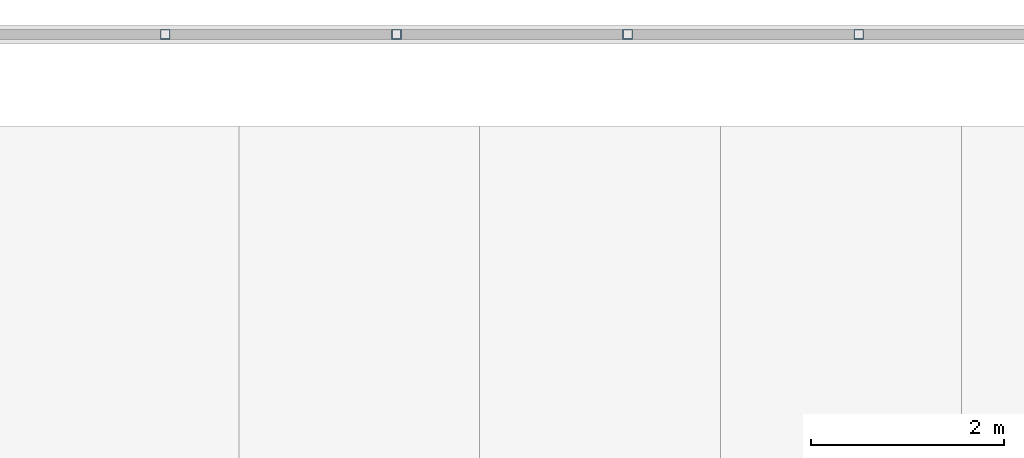
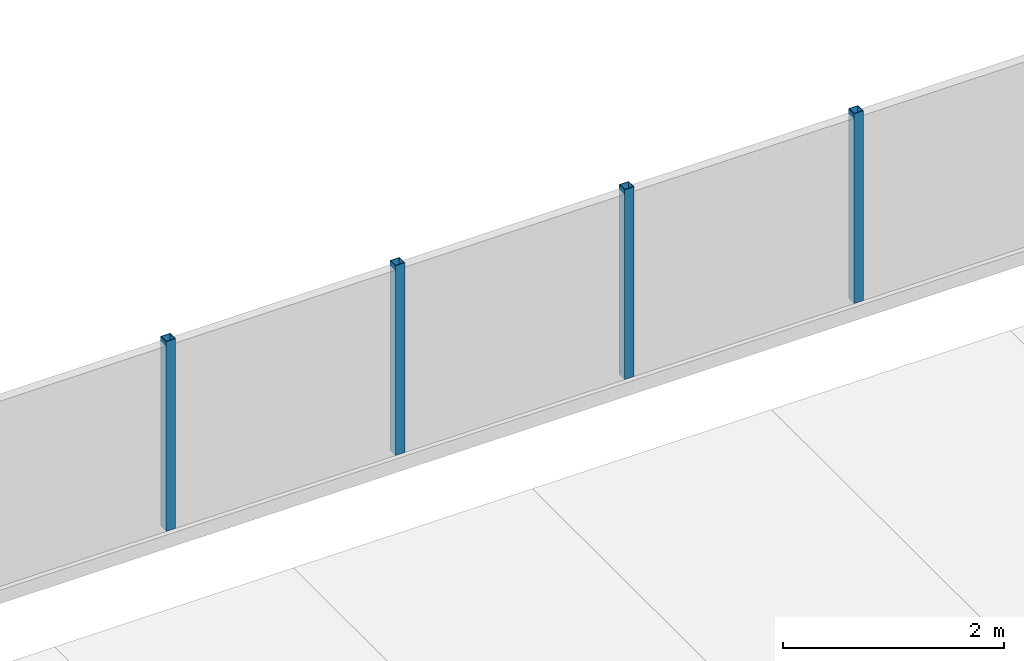
# One storey, part 21 of 129: 4 members.
"""IFC4 building model written with IfcOpenShell, lengths in metres."""

import ifcopenshell
import ifcopenshell.guid

model = None  # the IFC model being written
_history = None  # IfcOwnerHistory: only IFC2X3 demands one
_inside = {}  # id of a spatial element -> (the spatial element, [elements in it])
_under = {}  # id of a project, library or spatial element -> (it, [spatial elements below it])
_declared = {}  # id of a project -> (the project, [libraries it declares])
_typed = {}  # id of a type object -> (the type object, [elements of that type])
_made_of = {}  # id of a material, layer set ... -> (it, [elements and type objects made of it])


def new_model(schema):
    """Start an empty IFC model of exactly this schema.

    Asked for "IFC4X3", IfcOpenShell would pick the latest addendum, in which some entities
    have other attributes; the version numbers below select the first issue.
    IFC2X3 requires an IfcOwnerHistory on every rooted entity: one is made here for all.
    """
    global model, _history
    if schema == "IFC4X3":
        model = ifcopenshell.file(schema_version=(4, 3, 0, 0))
    else:
        model = ifcopenshell.file(schema=schema)
    _inside.clear()
    _under.clear()
    _declared.clear()
    _typed.clear()
    _made_of.clear()
    _history = None
    if model.schema == "IFC2X3":
        org = make("IfcOrganization", Name="unknown")
        user = make(
            "IfcPersonAndOrganization",
            ThePerson=make("IfcPerson", FamilyName="unknown"),
            TheOrganization=org,
        )
        app = make(
            "IfcApplication",
            ApplicationDeveloper=org,
            Version="unknown",
            ApplicationFullName="unknown",
            ApplicationIdentifier="unknown",
        )
        _history = make(
            "IfcOwnerHistory",
            OwningUser=user,
            OwningApplication=app,
            ChangeAction="ADDED",
            CreationDate=0,
        )
    return model


def make(cls, **values):
    """One entity of the class cls with the attributes given. An attribute that is None is left unset."""
    return model.create_entity(
        cls, **{name: value for name, value in values.items() if value is not None}
    )


def rooted(cls, **values):
    """An entity with a GlobalId (a new one), such as an element, a storey or a relation."""
    return make(cls, GlobalId=ifcopenshell.guid.new(), OwnerHistory=_history, **values)


def si_unit(unit_type, name, prefix=None):
    """IfcSIUnit, for example si_unit("LENGTHUNIT", "METRE", prefix="MILLI")."""
    return make("IfcSIUnit", UnitType=unit_type, Prefix=prefix, Name=name)


def assignment(units):
    """IfcUnitAssignment: the units of a project."""
    return None if units is None else make("IfcUnitAssignment", Units=units)


def point(xyz):
    """IfcCartesianPoint."""
    return None if xyz is None else make("IfcCartesianPoint", Coordinates=xyz)


def direction(xyz):
    """IfcDirection."""
    return None if xyz is None else make("IfcDirection", DirectionRatios=xyz)


def frame(location, z_axis=None, x_axis=None):
    """IfcAxis2Placement3D, a coordinate frame: its origin and axes. An axis left out is left unset."""
    return make(
        "IfcAxis2Placement3D",
        Location=point(location),
        Axis=direction(z_axis),
        RefDirection=direction(x_axis),
    )


def frame_2d(location, x_axis=None):
    """IfcAxis2Placement2D, a coordinate frame in the plane: its origin and x axis."""
    return make(
        "IfcAxis2Placement2D", Location=point(location), RefDirection=direction(x_axis)
    )


def origin():
    """The frame at (0, 0, 0) with its axes left unset."""
    return frame((0.0, 0.0, 0.0))


def origin_2d():
    """The frame at (0, 0) in the plane with its x axis left unset."""
    return frame_2d((0.0, 0.0))


def place(relative_to, where):
    """IfcLocalPlacement: puts the frame where relative to a parent placement (None: the world)."""
    return make(
        "IfcLocalPlacement", PlacementRelTo=relative_to, RelativePlacement=where
    )


def context(
    kind, dimensions, precision=None, world=None, true_north=None, identifier=None
):
    """IfcGeometricRepresentationContext, for example the 3D "Model" context."""
    return make(
        "IfcGeometricRepresentationContext",
        ContextIdentifier=identifier,
        ContextType=kind,
        CoordinateSpaceDimension=dimensions,
        Precision=precision,
        WorldCoordinateSystem=world,
        TrueNorth=true_north,
    )


def subcontext(parent, identifier, kind, view, scale=None):
    """IfcGeometricRepresentationSubContext, for example "Body" below "Model"."""
    return make(
        "IfcGeometricRepresentationSubContext",
        ContextIdentifier=identifier,
        ContextType=kind,
        ParentContext=parent,
        TargetScale=scale,
        TargetView=view,
    )


def project(units=None, contexts=None):
    """IfcProject with its units and contexts."""
    return rooted(
        "IfcProject",
        Name="project",
        RepresentationContexts=contexts,
        UnitsInContext=assignment(units),
    )


def spatial(cls, under=None, at=None, **own):
    """A site, building, storey or space (cls), placed at a placement, below another one or the project."""
    s = rooted(cls, ObjectPlacement=at, **own)
    if under is not None:
        _under.setdefault(under.id(), (under, []))[1].append(s)
    return s


def profile(cls, at=None, kind="AREA", **sizes):
    """A parametric profile (cls). Its sizes go by their IFC names, for example OverallWidth=200.0."""
    return make(cls, ProfileType=kind, Position=at, **sizes)


def hollow_rectangle(**sizes):
    """IfcRectangleHollowProfileDef."""
    return profile("IfcRectangleHollowProfileDef", **sizes)


def extrude(swept, where, along, depth):
    """IfcExtrudedAreaSolid: the profile swept, set in the frame where, extruded along a direction by depth."""
    return make(
        "IfcExtrudedAreaSolid",
        SweptArea=swept,
        Position=where,
        ExtrudedDirection=direction(along),
        Depth=depth,
    )


def shape(context_of_items, identifier, shape_type, items):
    """IfcShapeRepresentation: the items that make up one representation, for example the "Body"."""
    return make(
        "IfcShapeRepresentation",
        ContextOfItems=context_of_items,
        RepresentationIdentifier=identifier,
        RepresentationType=shape_type,
        Items=items,
    )


def material(Name=None, Category=None):
    """IfcMaterial."""
    return make("IfcMaterial", Name=Name, Category=Category)


def material_profile(
    of_material, cross_section, Name=None, Category=None, Priority=None
):
    """IfcMaterialProfile: a cross section and its material."""
    return make(
        "IfcMaterialProfile",
        Name=Name,
        Material=of_material,
        Profile=cross_section,
        Priority=Priority,
        Category=Category,
    )


def profile_set(profiles, Name=None, composite=None):
    """IfcMaterialProfileSet."""
    return make(
        "IfcMaterialProfileSet",
        Name=Name,
        MaterialProfiles=profiles,
        CompositeProfile=composite,
    )


def made_of(thing, what):
    """Note that an element or type object is made of a material, layer set ...; save() writes the relation."""
    if what is not None:
        _made_of.setdefault(what.id(), (what, []))[1].append(thing)
    return thing


def type_object(cls, material=None, **own):
    """A type object (cls), such as IfcWallType, which elements share."""
    return made_of(rooted(cls, **own), material)


def element(
    cls,
    number,
    at=None,
    inside=None,
    cuts=None,
    type_object=None,
    material=None,
    context=None,
    identifier="Body",
    shape_type=None,
    held_by="IfcProductDefinitionShape",
    body=None,
    shapes=None,
    **own,
):
    """One element of the class cls, such as IfcWall. Its Tag is "e" and its number.

    at: its placement. inside: the storey or other place that contains it. cuts: it is an
    opening in that element (IfcRelVoidsElement). A single representation is given by context,
    identifier, shape_type and body (its items); several are given by shapes. held_by: the class
    of the entity that holds the representations. save() writes the other relations.
    """
    e = rooted(cls, Tag="e%d" % number, ObjectPlacement=at, **own)
    if body is not None:
        shapes = [shape(context, identifier, shape_type, body)]
    if shapes is not None:
        e.Representation = make(held_by, Representations=shapes)
    if inside is not None:
        _inside.setdefault(inside.id(), (inside, []))[1].append(e)
    if cuts is not None:
        rooted(
            "IfcRelVoidsElement", RelatingBuildingElement=cuts, RelatedOpeningElement=e
        )
    if type_object is not None:
        _typed.setdefault(type_object.id(), (type_object, []))[1].append(e)
    return made_of(e, material)


def aggregate(whole, parts):
    """IfcRelAggregates: a whole, such as a stair, and the parts it consists of."""
    return rooted("IfcRelAggregates", RelatingObject=whole, RelatedObjects=parts)


def save(model, path):
    """Write the relations noted so far, then the file.

    IfcRelAggregates (storeys below a building ...), IfcRelContainedInSpatialStructure (elements
    in a storey), IfcRelDefinesByType, IfcRelAssociatesMaterial and IfcRelDeclares: one each for
    every whole, place, type object, material and project.
    """
    for whole, parts in _under.values():
        aggregate(whole, parts)
    for where, things in _inside.values():
        rooted(
            "IfcRelContainedInSpatialStructure",
            RelatedElements=things,
            RelatingStructure=where,
        )
    for kind, things in _typed.values():
        rooted("IfcRelDefinesByType", RelatedObjects=things, RelatingType=kind)
    for what, things in _made_of.values():
        rooted("IfcRelAssociatesMaterial", RelatedObjects=things, RelatingMaterial=what)
    for by, libraries in _declared.values():
        rooted("IfcRelDeclares", RelatingContext=by, RelatedDefinitions=libraries)
    model.write(path)


model = new_model("IFC4")

# Units and contexts
model_context = context("Model", 3, precision=1e-05, world=origin(), true_north=direction((0.0, 1.0)))
body_context = subcontext(model_context, "Body", "Model", "MODEL_VIEW")
ifc_project = project(units=[si_unit("LENGTHUNIT", "METRE"), si_unit("AREAUNIT", "SQUARE_METRE"), si_unit("VOLUMEUNIT", "CUBIC_METRE"), si_unit("PLANEANGLEUNIT", "RADIAN"), si_unit("MASSUNIT", "GRAM", prefix="KILO")], contexts=[model_context])

# Site, building, storey
site_placement = place(None, origin())
site = spatial("IfcSite", under=ifc_project, at=site_placement, CompositionType="ELEMENT")
building_placement = place(site_placement, origin())
building = spatial("IfcBuilding", under=site, at=building_placement, Name="Kiln Court Media Centre", CompositionType="ELEMENT")
storey_placement = place(building_placement, origin())
storey = spatial("IfcBuildingStorey", under=building, at=storey_placement, Name="L00", CompositionType="ELEMENT", Elevation=0.0)

# Members
ifc_material = material(Name="Steel ASTM A500 Gr C", Category="steel")
ifc_material_profile = material_profile(ifc_material, hollow_rectangle(XDim=0.10009765625, YDim=0.10009765625, WallThickness=0.00634765625, at=origin_2d()), Name="SHS 100x100x6.3")
ifc_profile_set = profile_set([ifc_material_profile], Name="Steel ASTM A500 Gr C")
member_type = type_object("IfcMemberType", Name="Steel ASTM A500 Gr C fence post SHS 100x100x6.3", PredefinedType="USERDEFINED", material=ifc_profile_set)
for number, where, z_axis, x_axis, name in (
    (1, (24.03759765625, 87.85009765625, -1.050048828125), (0.0, 0.0, 1.0), (1.0, 0.0, 0.0), "Fence post 9"),
    (2, (26.436279296875, 87.85009765625, -1.050048828125), (0.0, 0.0, 1.0), (1.0, 0.0, 0.0), "Fence post 10"),
    (3, (28.834716796875, 87.85009765625, -1.050048828125), (0.0, 0.0, 1.0), (1.0, 0.0, 0.0), "Fence post 11"),
    (4, (31.233154296875, 87.85009765625, -1.050048828125), (0.0, 0.0, 1.0), (1.0, 0.0, 0.0), "Fence post 12"),
):
    element("IfcMember", number, at=place(storey_placement, frame(where, z_axis=z_axis, x_axis=x_axis)), inside=storey, type_object=member_type, Name=name, ObjectType="FENCE POST", PredefinedType="USERDEFINED", context=body_context, shape_type="SweptSolid", body=[
        extrude(hollow_rectangle(XDim=0.10009765625, YDim=0.10009765625, WallThickness=0.00634765625, at=origin_2d()), origin(), (0.0, 0.0, 1.0), 2.10009765625),
    ])

save(model, "model.ifc")
